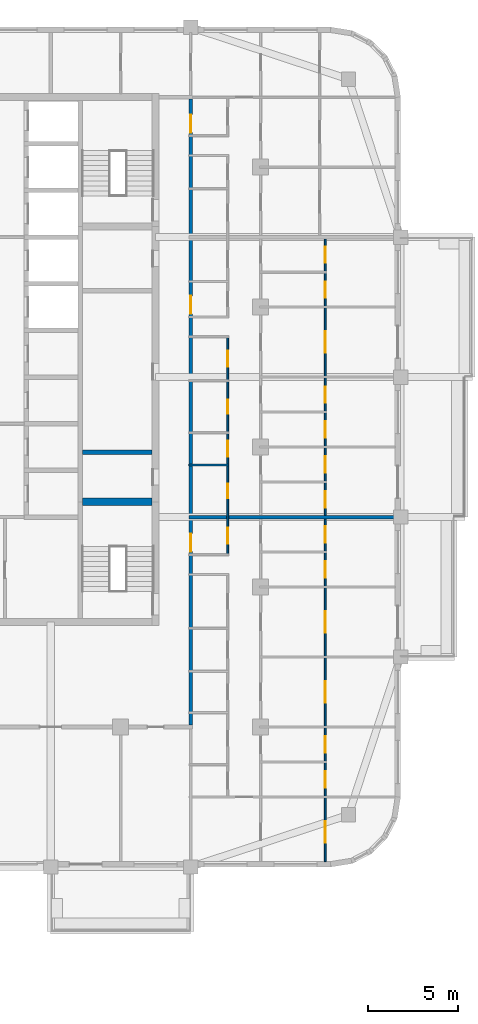
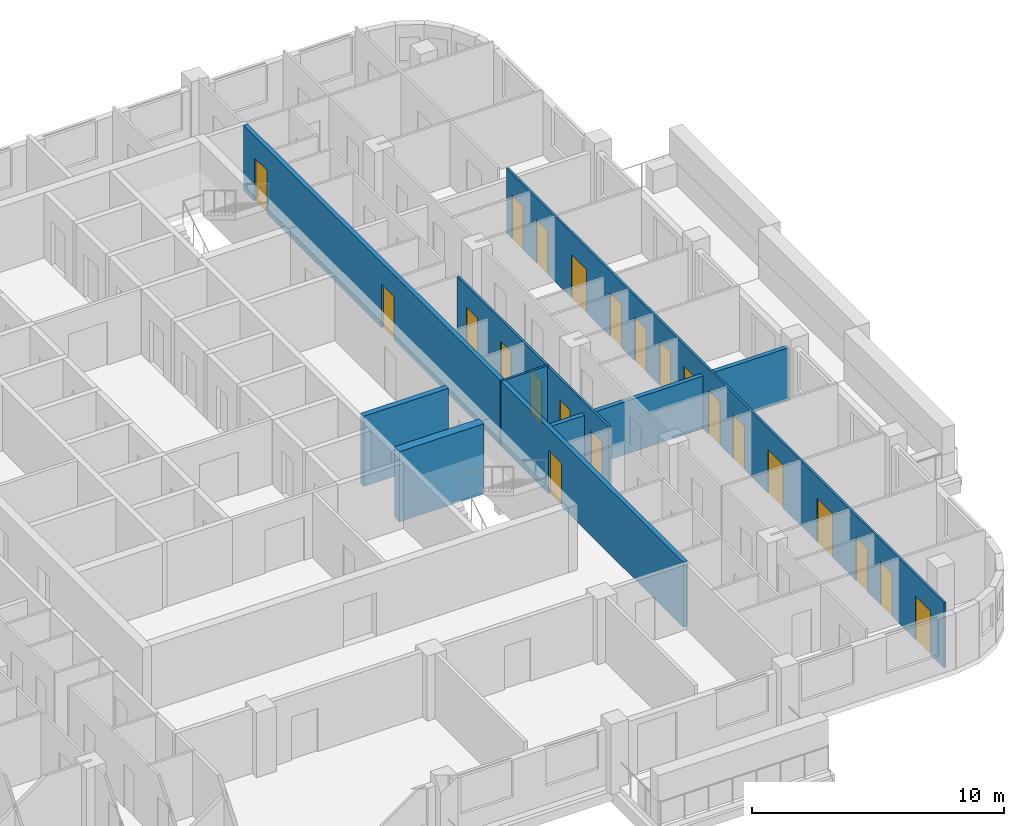
# One storey, part 7 of 17: 22 doors, 7 walls, 22 openings.
"""IFC4 building model written with IfcOpenShell, lengths in metres."""

from ifc_helpers import new_model, si_unit, direction, frame, frame_2d, origin, place, context, subcontext, project, spatial, rectangle, extrude, material, layer, layer_set, type_object, element, fill, save


model = new_model("IFC4")

# Units and contexts
model_context = context("Model", 3, precision=1e-05, world=origin(), true_north=direction((0.0, 1.0)))
body_context = subcontext(model_context, "Body", "Model", "MODEL_VIEW")
ifc_project = project(units=[si_unit("LENGTHUNIT", "METRE"), si_unit("AREAUNIT", "SQUARE_METRE"), si_unit("VOLUMEUNIT", "CUBIC_METRE"), si_unit("PLANEANGLEUNIT", "RADIAN"), si_unit("MASSUNIT", "GRAM", prefix="KILO")], contexts=[model_context])

# Site, building, storey
site_placement = place(None, origin())
site = spatial("IfcSite", under=ifc_project, at=site_placement, CompositionType="ELEMENT")
building_placement = place(site_placement, origin())
building = spatial("IfcBuilding", under=site, at=building_placement, Name="Ludao Terraces", CompositionType="ELEMENT")
storey_placement = place(building_placement, frame((0.0, 0.0, 231.300048828125)))
storey = spatial("IfcBuildingStorey", under=building, at=storey_placement, Name="L63", CompositionType="ELEMENT", Elevation=231.300048828125)

# Wall, openings, doors
ifc_material_1 = material(Name="Autoclaved aerated concrete block B06 A3.5", Category="concrete")
ifc_layer_1 = layer(ifc_material_1, 0.199951171875)
ifc_layer_set_1 = layer_set([ifc_layer_1], Name="INT Entrance wall 200")
wall_type_1 = type_object("IfcWallType", Name="INT Entrance wall 200", PredefinedType="PARTITIONING", material=ifc_layer_set_1)
wall_1_placement = place(storey_placement, frame((96.699951171875, 49.5, 0.0), z_axis=(0.0, 0.0, 1.0), x_axis=(0.0, 1.0, 0.0)))
wall_1 = element("IfcWall", 1, at=wall_1_placement, inside=storey, type_object=wall_type_1, Name="PW-L63-PW089", PredefinedType="PARTITIONING", context=body_context, shape_type="SweptSolid", body=[
    extrude(rectangle(XDim=34.900146484375, YDim=0.199951171875, at=frame_2d((17.4501953125, 0.0))), origin(), (0.0, 0.0, 1.0), 3.14990234375),
])
opening_1_placement = place(wall_1_placement, frame((9.675048828125, 0.0, 0.0)))
opening_1 = element("IfcOpeningElement", 2, at=opening_1_placement, cuts=wall_1, Name="Opening R22-040", PredefinedType="OPENING", context=body_context, shape_type="SweptSolid", body=[
    extrude(rectangle(XDim=1.0, YDim=2.10009765625, at=frame_2d((0.5, 1.050048828125))), frame((0.0, 0.10986328125, 0.0), z_axis=(0.0, -1.0, 0.0), x_axis=(1.0, 0.0, 0.0)), (0.0, 0.0, 1.0), 0.219970703125),
])
opening_2_placement = place(wall_1_placement, frame((22.925048828125, 0.0, 0.0)))
opening_2 = element("IfcOpeningElement", 3, at=opening_2_placement, cuts=wall_1, Name="Opening R22-089", PredefinedType="OPENING", context=body_context, shape_type="SweptSolid", body=[
    extrude(rectangle(XDim=1.0, YDim=2.10009765625, at=frame_2d((0.5, 1.050048828125))), frame((0.0, 0.10986328125, 0.0), z_axis=(0.0, -1.0, 0.0), x_axis=(1.0, 0.0, 0.0)), (0.0, 0.0, 1.0), 0.219970703125),
])
opening_3_placement = place(wall_1_placement, frame((33.025146484375, 0.0, 0.0)))
opening_3 = element("IfcOpeningElement", 4, at=opening_3_placement, cuts=wall_1, Name="Opening R22-122", PredefinedType="OPENING", context=body_context, shape_type="SweptSolid", body=[
    extrude(rectangle(XDim=1.0, YDim=2.10009765625, at=frame_2d((0.5, 1.050048828125))), frame((0.0, 0.10986328125, 0.0), z_axis=(0.0, -1.0, 0.0), x_axis=(1.0, 0.0, 0.0)), (0.0, 0.0, 1.0), 0.219970703125),
])
ifc_material_2 = material(Name="Steel Q235", Category="steel")
door_type_1 = type_object("IfcDoorType", Name="INT Flat entrance door 1000", OperationType="SINGLE_SWING_LEFT", PredefinedType="DOOR", material=ifc_material_2)
door_1_placement = place(opening_1_placement, origin())
door_1 = element("IfcDoor", 5, at=door_1_placement, inside=storey, type_object=door_type_1, Name="DOOR 040", OperationType="SINGLE_SWING_LEFT", OverallHeight=2.10009765625, OverallWidth=1.0, PredefinedType="DOOR", context=body_context, shape_type="SweptSolid", body=[
    extrude(rectangle(XDim=1.0, YDim=2.10009765625, at=frame_2d((0.5, 1.050048828125))), frame((0.0, 0.02490234375, 0.0), z_axis=(0.0, -1.0, 0.0), x_axis=(1.0, 0.0, 0.0)), (0.0, 0.0, 1.0), 0.050048828125),
])
fill(opening_1, door_1)
door_2_placement = place(opening_2_placement, origin())
door_2 = element("IfcDoor", 6, at=door_2_placement, inside=storey, type_object=door_type_1, Name="DOOR 089", OperationType="SINGLE_SWING_LEFT", OverallHeight=2.10009765625, OverallWidth=1.0, PredefinedType="DOOR", context=body_context, shape_type="SweptSolid", body=[
    extrude(rectangle(XDim=1.0, YDim=2.10009765625, at=frame_2d((0.5, 1.050048828125))), frame((0.0, 0.02490234375, 0.0), z_axis=(0.0, -1.0, 0.0), x_axis=(1.0, 0.0, 0.0)), (0.0, 0.0, 1.0), 0.050048828125),
])
fill(opening_2, door_2)
door_3_placement = place(opening_3_placement, origin())
door_3 = element("IfcDoor", 7, at=door_3_placement, inside=storey, type_object=door_type_1, Name="DOOR 122", OperationType="SINGLE_SWING_LEFT", OverallHeight=2.10009765625, OverallWidth=1.0, PredefinedType="DOOR", context=body_context, shape_type="SweptSolid", body=[
    extrude(rectangle(XDim=1.0, YDim=2.10009765625, at=frame_2d((0.5, 1.050048828125))), frame((0.0, 0.02490234375, 0.0), z_axis=(0.0, -1.0, 0.0), x_axis=(1.0, 0.0, 0.0)), (0.0, 0.0, 1.0), 0.050048828125),
])
fill(opening_3, door_3)

# Wall
ifc_material_3 = material(Name="Gypsum plasterboard", Category="gypsum")
ifc_layer_2 = layer(ifc_material_3, 0.012451171875, Category="gypsum")
ifc_material_4 = material(Name="Mineral wool")
ifc_layer_3 = layer(ifc_material_4, 0.06005859375, Name="insulation")
ifc_layer_4 = layer(ifc_material_2, 0.014892578125, Name="stud")
ifc_layer_5 = layer(ifc_material_3, 0.012451171875, Category="gypsum")
ifc_layer_set_2 = layer_set([ifc_layer_2, ifc_layer_3, ifc_layer_4, ifc_layer_5], Name="INT Partition 100")
wall_type_2 = type_object("IfcWallType", Name="INT Partition 100", PredefinedType="PARTITIONING", material=ifc_layer_set_2)
wall_2_placement = place(storey_placement, frame((96.60009765625, 64.0, 0.0), z_axis=(0.0, 0.0, 1.0), x_axis=(1.0, 0.0, 0.0)))
element("IfcWall", 8, at=wall_2_placement, inside=storey, type_object=wall_type_2, Name="PW-L63-PW030", PredefinedType="PARTITIONING", context=body_context, shape_type="SweptSolid", body=[
    extrude(rectangle(XDim=2.219970703125, YDim=0.10009765625, at=frame_2d((1.10986328125, 0.0))), origin(), (0.0, 0.0, 1.0), 3.14990234375),
])

# Wall, openings, doors
wall_3_placement = place(storey_placement, frame((98.77001953125, 59.050048828125, 0.0), z_axis=(0.0, 0.0, 1.0), x_axis=(0.0, 1.0, 0.0)))
wall_3 = element("IfcWall", 9, at=wall_3_placement, inside=storey, type_object=wall_type_2, Name="PW-L63-PW092", PredefinedType="PARTITIONING", context=body_context, shape_type="SweptSolid", body=[
    extrude(rectangle(XDim=12.050048828125, YDim=0.10009765625, at=frame_2d((6.02490234375, 0.0))), origin(), (0.0, 0.0, 1.0), 3.14990234375),
])
opening_4_placement = place(wall_3_placement, frame((0.550048828125, 0.0, 0.0)))
opening_4 = element("IfcOpeningElement", 10, at=opening_4_placement, cuts=wall_3, Name="Opening R22-041", PredefinedType="OPENING", context=body_context, shape_type="SweptSolid", body=[
    extrude(rectangle(XDim=0.89990234375, YDim=2.10009765625, at=frame_2d((0.449951171875, 1.050048828125))), frame((0.0, 0.06005859375, 0.0), z_axis=(0.0, -1.0, 0.0), x_axis=(1.0, 0.0, 0.0)), (0.0, 0.0, 1.0), 0.1201171875),
])
opening_5_placement = place(wall_3_placement, frame((3.10009765625, 0.0, 0.0)))
opening_5 = element("IfcOpeningElement", 11, at=opening_5_placement, cuts=wall_3, Name="Opening R22-052", PredefinedType="OPENING", context=body_context, shape_type="SweptSolid", body=[
    extrude(rectangle(XDim=0.800048828125, YDim=2.10009765625, at=frame_2d((0.39990234375, 1.050048828125))), frame((0.0, 0.06005859375, 0.0), z_axis=(0.0, -1.0, 0.0), x_axis=(1.0, 0.0, 0.0)), (0.0, 0.0, 1.0), 0.1201171875),
])
opening_6_placement = place(wall_3_placement, frame((5.39990234375, 0.0, 0.0)))
opening_6 = element("IfcOpeningElement", 12, at=opening_6_placement, cuts=wall_3, Name="Opening R22-060", PredefinedType="OPENING", context=body_context, shape_type="SweptSolid", body=[
    extrude(rectangle(XDim=0.89990234375, YDim=2.10009765625, at=frame_2d((0.449951171875, 1.050048828125))), frame((0.0, 0.06005859375, 0.0), z_axis=(0.0, -1.0, 0.0), x_axis=(1.0, 0.0, 0.0)), (0.0, 0.0, 1.0), 0.1201171875),
])
opening_7_placement = place(wall_3_placement, frame((7.800048828125, 0.0, 0.0)))
opening_7 = element("IfcOpeningElement", 13, at=opening_7_placement, cuts=wall_3, Name="Opening R22-069", PredefinedType="OPENING", context=body_context, shape_type="SweptSolid", body=[
    extrude(rectangle(XDim=0.800048828125, YDim=2.10009765625, at=frame_2d((0.39990234375, 1.050048828125))), frame((0.0, 0.06005859375, 0.0), z_axis=(0.0, -1.0, 0.0), x_axis=(1.0, 0.0, 0.0)), (0.0, 0.0, 1.0), 0.1201171875),
])
opening_8_placement = place(wall_3_placement, frame((10.425048828125, 0.0, 0.0)))
opening_8 = element("IfcOpeningElement", 14, at=opening_8_placement, cuts=wall_3, Name="Opening R22-078", PredefinedType="OPENING", context=body_context, shape_type="SweptSolid", body=[
    extrude(rectangle(XDim=0.89990234375, YDim=2.10009765625, at=frame_2d((0.449951171875, 1.050048828125))), frame((0.0, 0.06005859375, 0.0), z_axis=(0.0, -1.0, 0.0), x_axis=(1.0, 0.0, 0.0)), (0.0, 0.0, 1.0), 0.1201171875),
])
ifc_material_5 = material(Name="Timber door leaf", Category="wood")
door_type_2 = type_object("IfcDoorType", Name="INT Bathroom door 900", OperationType="SINGLE_SWING_LEFT", PredefinedType="DOOR", material=ifc_material_5)
door_4_placement = place(opening_6_placement, origin())
door_4 = element("IfcDoor", 15, at=door_4_placement, inside=storey, type_object=door_type_2, Name="DOOR 060", OperationType="SINGLE_SWING_RIGHT", OverallHeight=2.10009765625, OverallWidth=0.89990234375, PredefinedType="DOOR", context=body_context, shape_type="SweptSolid", body=[
    extrude(rectangle(XDim=0.89990234375, YDim=2.10009765625, at=frame_2d((0.449951171875, 1.050048828125))), frame((0.0, 0.02490234375, 0.0), z_axis=(0.0, -1.0, 0.0), x_axis=(1.0, 0.0, 0.0)), (0.0, 0.0, 1.0), 0.050048828125),
])
fill(opening_6, door_4)
door_5_placement = place(opening_8_placement, origin())
door_5 = element("IfcDoor", 16, at=door_5_placement, inside=storey, type_object=door_type_2, Name="DOOR 078", OperationType="SINGLE_SWING_RIGHT", OverallHeight=2.10009765625, OverallWidth=0.89990234375, PredefinedType="DOOR", context=body_context, shape_type="SweptSolid", body=[
    extrude(rectangle(XDim=0.89990234375, YDim=2.10009765625, at=frame_2d((0.449951171875, 1.050048828125))), frame((0.0, 0.02490234375, 0.0), z_axis=(0.0, -1.0, 0.0), x_axis=(1.0, 0.0, 0.0)), (0.0, 0.0, 1.0), 0.050048828125),
])
fill(opening_8, door_5)
door_type_3 = type_object("IfcDoorType", Name="INT Room door 900", OperationType="SINGLE_SWING_LEFT", PredefinedType="DOOR", material=ifc_material_5)
door_6_placement = place(opening_4_placement, origin())
door_6 = element("IfcDoor", 17, at=door_6_placement, inside=storey, type_object=door_type_3, Name="DOOR 041", OperationType="SINGLE_SWING_RIGHT", OverallHeight=2.10009765625, OverallWidth=0.89990234375, PredefinedType="DOOR", context=body_context, shape_type="SweptSolid", body=[
    extrude(rectangle(XDim=0.89990234375, YDim=2.10009765625, at=frame_2d((0.449951171875, 1.050048828125))), frame((0.0, 0.02490234375, 0.0), z_axis=(0.0, -1.0, 0.0), x_axis=(1.0, 0.0, 0.0)), (0.0, 0.0, 1.0), 0.050048828125),
])
fill(opening_4, door_6)
door_type_4 = type_object("IfcDoorType", Name="INT Store door 800", OperationType="SINGLE_SWING_LEFT", PredefinedType="DOOR", material=ifc_material_5)
door_7_placement = place(opening_5_placement, origin())
door_7 = element("IfcDoor", 18, at=door_7_placement, inside=storey, type_object=door_type_4, Name="DOOR 052", OperationType="SINGLE_SWING_LEFT", OverallHeight=2.10009765625, OverallWidth=0.800048828125, PredefinedType="DOOR", context=body_context, shape_type="SweptSolid", body=[
    extrude(rectangle(XDim=0.800048828125, YDim=2.10009765625, at=frame_2d((0.39990234375, 1.050048828125))), frame((0.0, 0.02490234375, 0.0), z_axis=(0.0, -1.0, 0.0), x_axis=(1.0, 0.0, 0.0)), (0.0, 0.0, 1.0), 0.050048828125),
])
fill(opening_5, door_7)
door_8_placement = place(opening_7_placement, origin())
door_8 = element("IfcDoor", 19, at=door_8_placement, inside=storey, type_object=door_type_4, Name="DOOR 069", OperationType="SINGLE_SWING_LEFT", OverallHeight=2.10009765625, OverallWidth=0.800048828125, PredefinedType="DOOR", context=body_context, shape_type="SweptSolid", body=[
    extrude(rectangle(XDim=0.800048828125, YDim=2.10009765625, at=frame_2d((0.39990234375, 1.050048828125))), frame((0.0, 0.02490234375, 0.0), z_axis=(0.0, -1.0, 0.0), x_axis=(1.0, 0.0, 0.0)), (0.0, 0.0, 1.0), 0.050048828125),
])
fill(opening_7, door_8)

wall_4_placement = place(storey_placement, frame((104.199951171875, 41.900146484375, 0.0), z_axis=(0.0, 0.0, 1.0), x_axis=(0.0, 1.0, 0.0)))
wall_4 = element("IfcWall", 20, at=wall_4_placement, inside=storey, type_object=wall_type_2, Name="PW-L63-PW097", PredefinedType="PARTITIONING", context=body_context, shape_type="SweptSolid", body=[
    extrude(rectangle(XDim=34.699951171875, YDim=0.10009765625, at=frame_2d((17.35009765625, 0.0))), origin(), (0.0, 0.0, 1.0), 3.14990234375),
])
opening_9_placement = place(wall_4_placement, frame((1.050048828125, 0.0, 0.0)))
opening_9 = element("IfcOpeningElement", 21, at=opening_9_placement, cuts=wall_4, Name="Opening R22-004", PredefinedType="OPENING", context=body_context, shape_type="SweptSolid", body=[
    extrude(rectangle(XDim=1.199951171875, YDim=2.10009765625, at=frame_2d((0.60009765625, 1.050048828125))), frame((0.0, 0.06005859375, 0.0), z_axis=(0.0, -1.0, 0.0), x_axis=(1.0, 0.0, 0.0)), (0.0, 0.0, 1.0), 0.1201171875),
])
opening_10_placement = place(wall_4_placement, frame((4.125, 0.0, 0.0)))
opening_10 = element("IfcOpeningElement", 22, at=opening_10_placement, cuts=wall_4, Name="Opening R22-008", PredefinedType="OPENING", context=body_context, shape_type="SweptSolid", body=[
    extrude(rectangle(XDim=0.89990234375, YDim=2.10009765625, at=frame_2d((0.449951171875, 1.050048828125))), frame((0.0, 0.06005859375, 0.0), z_axis=(0.0, -1.0, 0.0), x_axis=(1.0, 0.0, 0.0)), (0.0, 0.0, 1.0), 0.1201171875),
])
opening_11_placement = place(wall_4_placement, frame((6.074951171875, 0.0, 0.0)))
opening_11 = element("IfcOpeningElement", 23, at=opening_11_placement, cuts=wall_4, Name="Opening R22-013", PredefinedType="OPENING", context=body_context, shape_type="SweptSolid", body=[
    extrude(rectangle(XDim=0.89990234375, YDim=2.10009765625, at=frame_2d((0.449951171875, 1.050048828125))), frame((0.0, 0.06005859375, 0.0), z_axis=(0.0, -1.0, 0.0), x_axis=(1.0, 0.0, 0.0)), (0.0, 0.0, 1.0), 0.1201171875),
])
opening_12_placement = place(wall_4_placement, frame((8.85009765625, 0.0, 0.0)))
opening_12 = element("IfcOpeningElement", 24, at=opening_12_placement, cuts=wall_4, Name="Opening R22-023", PredefinedType="OPENING", context=body_context, shape_type="SweptSolid", body=[
    extrude(rectangle(XDim=1.199951171875, YDim=2.10009765625, at=frame_2d((0.60009765625, 1.050048828125))), frame((0.0, 0.06005859375, 0.0), z_axis=(0.0, -1.0, 0.0), x_axis=(1.0, 0.0, 0.0)), (0.0, 0.0, 1.0), 0.1201171875),
])
opening_13_placement = place(wall_4_placement, frame((12.75, 0.0, 0.0)))
opening_13 = element("IfcOpeningElement", 25, at=opening_13_placement, cuts=wall_4, Name="Opening R22-030", PredefinedType="OPENING", context=body_context, shape_type="SweptSolid", body=[
    extrude(rectangle(XDim=1.199951171875, YDim=2.10009765625, at=frame_2d((0.60009765625, 1.050048828125))), frame((0.0, 0.06005859375, 0.0), z_axis=(0.0, -1.0, 0.0), x_axis=(1.0, 0.0, 0.0)), (0.0, 0.0, 1.0), 0.1201171875),
])
opening_14_placement = place(wall_4_placement, frame((15.824951171875, 0.0, 0.0)))
opening_14 = element("IfcOpeningElement", 26, at=opening_14_placement, cuts=wall_4, Name="Opening R22-038", PredefinedType="OPENING", context=body_context, shape_type="SweptSolid", body=[
    extrude(rectangle(XDim=0.89990234375, YDim=2.10009765625, at=frame_2d((0.449951171875, 1.050048828125))), frame((0.0, 0.06005859375, 0.0), z_axis=(0.0, -1.0, 0.0), x_axis=(1.0, 0.0, 0.0)), (0.0, 0.0, 1.0), 0.1201171875),
])
opening_15_placement = place(wall_4_placement, frame((17.77490234375, 0.0, 0.0)))
opening_15 = element("IfcOpeningElement", 27, at=opening_15_placement, cuts=wall_4, Name="Opening R22-045", PredefinedType="OPENING", context=body_context, shape_type="SweptSolid", body=[
    extrude(rectangle(XDim=0.89990234375, YDim=2.10009765625, at=frame_2d((0.449951171875, 1.050048828125))), frame((0.0, 0.06005859375, 0.0), z_axis=(0.0, -1.0, 0.0), x_axis=(1.0, 0.0, 0.0)), (0.0, 0.0, 1.0), 0.1201171875),
])
opening_16_placement = place(wall_4_placement, frame((19.72509765625, 0.0, 0.0)))
opening_16 = element("IfcOpeningElement", 28, at=opening_16_placement, cuts=wall_4, Name="Opening R22-049", PredefinedType="OPENING", context=body_context, shape_type="SweptSolid", body=[
    extrude(rectangle(XDim=0.89990234375, YDim=2.10009765625, at=frame_2d((0.449951171875, 1.050048828125))), frame((0.0, 0.06005859375, 0.0), z_axis=(0.0, -1.0, 0.0), x_axis=(1.0, 0.0, 0.0)), (0.0, 0.0, 1.0), 0.1201171875),
])
opening_17_placement = place(wall_4_placement, frame((21.675048828125, 0.0, 0.0)))
opening_17 = element("IfcOpeningElement", 29, at=opening_17_placement, cuts=wall_4, Name="Opening R22-059", PredefinedType="OPENING", context=body_context, shape_type="SweptSolid", body=[
    extrude(rectangle(XDim=0.89990234375, YDim=2.10009765625, at=frame_2d((0.449951171875, 1.050048828125))), frame((0.0, 0.06005859375, 0.0), z_axis=(0.0, -1.0, 0.0), x_axis=(1.0, 0.0, 0.0)), (0.0, 0.0, 1.0), 0.1201171875),
])
opening_18_placement = place(wall_4_placement, frame((23.625, 0.0, 0.0)))
opening_18 = element("IfcOpeningElement", 30, at=opening_18_placement, cuts=wall_4, Name="Opening R22-064", PredefinedType="OPENING", context=body_context, shape_type="SweptSolid", body=[
    extrude(rectangle(XDim=0.89990234375, YDim=2.10009765625, at=frame_2d((0.449951171875, 1.050048828125))), frame((0.0, 0.06005859375, 0.0), z_axis=(0.0, -1.0, 0.0), x_axis=(1.0, 0.0, 0.0)), (0.0, 0.0, 1.0), 0.1201171875),
])
opening_19_placement = place(wall_4_placement, frame((25.574951171875, 0.0, 0.0)))
opening_19 = element("IfcOpeningElement", 31, at=opening_19_placement, cuts=wall_4, Name="Opening R22-073", PredefinedType="OPENING", context=body_context, shape_type="SweptSolid", body=[
    extrude(rectangle(XDim=0.89990234375, YDim=2.10009765625, at=frame_2d((0.449951171875, 1.050048828125))), frame((0.0, 0.06005859375, 0.0), z_axis=(0.0, -1.0, 0.0), x_axis=(1.0, 0.0, 0.0)), (0.0, 0.0, 1.0), 0.1201171875),
])
opening_20_placement = place(wall_4_placement, frame((28.35009765625, 0.0, 0.0)))
opening_20 = element("IfcOpeningElement", 32, at=opening_20_placement, cuts=wall_4, Name="Opening R22-083", PredefinedType="OPENING", context=body_context, shape_type="SweptSolid", body=[
    extrude(rectangle(XDim=1.199951171875, YDim=2.10009765625, at=frame_2d((0.60009765625, 1.050048828125))), frame((0.0, 0.06005859375, 0.0), z_axis=(0.0, -1.0, 0.0), x_axis=(1.0, 0.0, 0.0)), (0.0, 0.0, 1.0), 0.1201171875),
])
opening_21_placement = place(wall_4_placement, frame((31.425048828125, 0.0, 0.0)))
opening_21 = element("IfcOpeningElement", 33, at=opening_21_placement, cuts=wall_4, Name="Opening R22-093", PredefinedType="OPENING", context=body_context, shape_type="SweptSolid", body=[
    extrude(rectangle(XDim=0.89990234375, YDim=2.10009765625, at=frame_2d((0.449951171875, 1.050048828125))), frame((0.0, 0.06005859375, 0.0), z_axis=(0.0, -1.0, 0.0), x_axis=(1.0, 0.0, 0.0)), (0.0, 0.0, 1.0), 0.1201171875),
])
opening_22_placement = place(wall_4_placement, frame((33.375, 0.0, 0.0)))
opening_22 = element("IfcOpeningElement", 34, at=opening_22_placement, cuts=wall_4, Name="Opening R22-102", PredefinedType="OPENING", context=body_context, shape_type="SweptSolid", body=[
    extrude(rectangle(XDim=0.89990234375, YDim=2.10009765625, at=frame_2d((0.449951171875, 1.050048828125))), frame((0.0, 0.06005859375, 0.0), z_axis=(0.0, -1.0, 0.0), x_axis=(1.0, 0.0, 0.0)), (0.0, 0.0, 1.0), 0.1201171875),
])
door_9_placement = place(opening_10_placement, origin())
door_9 = element("IfcDoor", 35, at=door_9_placement, inside=storey, type_object=door_type_2, Name="DOOR 008", OperationType="SINGLE_SWING_RIGHT", OverallHeight=2.10009765625, OverallWidth=0.89990234375, PredefinedType="DOOR", context=body_context, shape_type="SweptSolid", body=[
    extrude(rectangle(XDim=0.89990234375, YDim=2.10009765625, at=frame_2d((0.449951171875, 1.050048828125))), frame((0.0, 0.02490234375, 0.0), z_axis=(0.0, -1.0, 0.0), x_axis=(1.0, 0.0, 0.0)), (0.0, 0.0, 1.0), 0.050048828125),
])
fill(opening_10, door_9)
door_10_placement = place(opening_14_placement, origin())
door_10 = element("IfcDoor", 36, at=door_10_placement, inside=storey, type_object=door_type_2, Name="DOOR 038", OperationType="SINGLE_SWING_LEFT", OverallHeight=2.10009765625, OverallWidth=0.89990234375, PredefinedType="DOOR", context=body_context, shape_type="SweptSolid", body=[
    extrude(rectangle(XDim=0.89990234375, YDim=2.10009765625, at=frame_2d((0.449951171875, 1.050048828125))), frame((0.0, 0.02490234375, 0.0), z_axis=(0.0, -1.0, 0.0), x_axis=(1.0, 0.0, 0.0)), (0.0, 0.0, 1.0), 0.050048828125),
])
fill(opening_14, door_10)
door_11_placement = place(opening_16_placement, origin())
door_11 = element("IfcDoor", 37, at=door_11_placement, inside=storey, type_object=door_type_2, Name="DOOR 049", OperationType="SINGLE_SWING_LEFT", OverallHeight=2.10009765625, OverallWidth=0.89990234375, PredefinedType="DOOR", context=body_context, shape_type="SweptSolid", body=[
    extrude(rectangle(XDim=0.89990234375, YDim=2.10009765625, at=frame_2d((0.449951171875, 1.050048828125))), frame((0.0, 0.02490234375, 0.0), z_axis=(0.0, -1.0, 0.0), x_axis=(1.0, 0.0, 0.0)), (0.0, 0.0, 1.0), 0.050048828125),
])
fill(opening_16, door_11)
door_12_placement = place(opening_18_placement, origin())
door_12 = element("IfcDoor", 38, at=door_12_placement, inside=storey, type_object=door_type_2, Name="DOOR 064", OperationType="SINGLE_SWING_LEFT", OverallHeight=2.10009765625, OverallWidth=0.89990234375, PredefinedType="DOOR", context=body_context, shape_type="SweptSolid", body=[
    extrude(rectangle(XDim=0.89990234375, YDim=2.10009765625, at=frame_2d((0.449951171875, 1.050048828125))), frame((0.0, 0.02490234375, 0.0), z_axis=(0.0, -1.0, 0.0), x_axis=(1.0, 0.0, 0.0)), (0.0, 0.0, 1.0), 0.050048828125),
])
fill(opening_18, door_12)
door_13_placement = place(opening_21_placement, origin())
door_13 = element("IfcDoor", 39, at=door_13_placement, inside=storey, type_object=door_type_2, Name="DOOR 093", OperationType="SINGLE_SWING_LEFT", OverallHeight=2.10009765625, OverallWidth=0.89990234375, PredefinedType="DOOR", context=body_context, shape_type="SweptSolid", body=[
    extrude(rectangle(XDim=0.89990234375, YDim=2.10009765625, at=frame_2d((0.449951171875, 1.050048828125))), frame((0.0, 0.02490234375, 0.0), z_axis=(0.0, -1.0, 0.0), x_axis=(1.0, 0.0, 0.0)), (0.0, 0.0, 1.0), 0.050048828125),
])
fill(opening_21, door_13)
door_type_5 = type_object("IfcDoorType", Name="INT Double door 1200", OperationType="DOUBLE_DOOR_SINGLE_SWING", PredefinedType="DOOR", material=ifc_material_5)
door_14_placement = place(opening_9_placement, origin())
door_14 = element("IfcDoor", 40, at=door_14_placement, inside=storey, type_object=door_type_5, Name="DOOR 004", OperationType="DOUBLE_DOOR_SINGLE_SWING", OverallHeight=2.10009765625, OverallWidth=1.199951171875, PredefinedType="DOOR", context=body_context, shape_type="SweptSolid", body=[
    extrude(rectangle(XDim=1.199951171875, YDim=2.10009765625, at=frame_2d((0.60009765625, 1.050048828125))), frame((0.0, 0.02490234375, 0.0), z_axis=(0.0, -1.0, 0.0), x_axis=(1.0, 0.0, 0.0)), (0.0, 0.0, 1.0), 0.050048828125),
])
fill(opening_9, door_14)
door_15_placement = place(opening_12_placement, origin())
door_15 = element("IfcDoor", 41, at=door_15_placement, inside=storey, type_object=door_type_5, Name="DOOR 023", OperationType="DOUBLE_DOOR_SINGLE_SWING", OverallHeight=2.10009765625, OverallWidth=1.199951171875, PredefinedType="DOOR", context=body_context, shape_type="SweptSolid", body=[
    extrude(rectangle(XDim=1.199951171875, YDim=2.10009765625, at=frame_2d((0.60009765625, 1.050048828125))), frame((0.0, 0.02490234375, 0.0), z_axis=(0.0, -1.0, 0.0), x_axis=(1.0, 0.0, 0.0)), (0.0, 0.0, 1.0), 0.050048828125),
])
fill(opening_12, door_15)
door_16_placement = place(opening_13_placement, origin())
door_16 = element("IfcDoor", 42, at=door_16_placement, inside=storey, type_object=door_type_5, Name="DOOR 030", OperationType="DOUBLE_DOOR_SINGLE_SWING", OverallHeight=2.10009765625, OverallWidth=1.199951171875, PredefinedType="DOOR", context=body_context, shape_type="SweptSolid", body=[
    extrude(rectangle(XDim=1.199951171875, YDim=2.10009765625, at=frame_2d((0.60009765625, 1.050048828125))), frame((0.0, 0.02490234375, 0.0), z_axis=(0.0, -1.0, 0.0), x_axis=(1.0, 0.0, 0.0)), (0.0, 0.0, 1.0), 0.050048828125),
])
fill(opening_13, door_16)
door_17_placement = place(opening_20_placement, origin())
door_17 = element("IfcDoor", 43, at=door_17_placement, inside=storey, type_object=door_type_5, Name="DOOR 083", OperationType="DOUBLE_DOOR_SINGLE_SWING", OverallHeight=2.10009765625, OverallWidth=1.199951171875, PredefinedType="DOOR", context=body_context, shape_type="SweptSolid", body=[
    extrude(rectangle(XDim=1.199951171875, YDim=2.10009765625, at=frame_2d((0.60009765625, 1.050048828125))), frame((0.0, 0.02490234375, 0.0), z_axis=(0.0, -1.0, 0.0), x_axis=(1.0, 0.0, 0.0)), (0.0, 0.0, 1.0), 0.050048828125),
])
fill(opening_20, door_17)
door_18_placement = place(opening_11_placement, origin())
door_18 = element("IfcDoor", 44, at=door_18_placement, inside=storey, type_object=door_type_3, Name="DOOR 013", OperationType="SINGLE_SWING_LEFT", OverallHeight=2.10009765625, OverallWidth=0.89990234375, PredefinedType="DOOR", context=body_context, shape_type="SweptSolid", body=[
    extrude(rectangle(XDim=0.89990234375, YDim=2.10009765625, at=frame_2d((0.449951171875, 1.050048828125))), frame((0.0, 0.02490234375, 0.0), z_axis=(0.0, -1.0, 0.0), x_axis=(1.0, 0.0, 0.0)), (0.0, 0.0, 1.0), 0.050048828125),
])
fill(opening_11, door_18)
door_19_placement = place(opening_15_placement, origin())
door_19 = element("IfcDoor", 45, at=door_19_placement, inside=storey, type_object=door_type_3, Name="DOOR 045", OperationType="SINGLE_SWING_LEFT", OverallHeight=2.10009765625, OverallWidth=0.89990234375, PredefinedType="DOOR", context=body_context, shape_type="SweptSolid", body=[
    extrude(rectangle(XDim=0.89990234375, YDim=2.10009765625, at=frame_2d((0.449951171875, 1.050048828125))), frame((0.0, 0.02490234375, 0.0), z_axis=(0.0, -1.0, 0.0), x_axis=(1.0, 0.0, 0.0)), (0.0, 0.0, 1.0), 0.050048828125),
])
fill(opening_15, door_19)
door_20_placement = place(opening_17_placement, origin())
door_20 = element("IfcDoor", 46, at=door_20_placement, inside=storey, type_object=door_type_3, Name="DOOR 059", OperationType="SINGLE_SWING_LEFT", OverallHeight=2.10009765625, OverallWidth=0.89990234375, PredefinedType="DOOR", context=body_context, shape_type="SweptSolid", body=[
    extrude(rectangle(XDim=0.89990234375, YDim=2.10009765625, at=frame_2d((0.449951171875, 1.050048828125))), frame((0.0, 0.02490234375, 0.0), z_axis=(0.0, -1.0, 0.0), x_axis=(1.0, 0.0, 0.0)), (0.0, 0.0, 1.0), 0.050048828125),
])
fill(opening_17, door_20)
door_21_placement = place(opening_19_placement, origin())
door_21 = element("IfcDoor", 47, at=door_21_placement, inside=storey, type_object=door_type_3, Name="DOOR 073", OperationType="SINGLE_SWING_RIGHT", OverallHeight=2.10009765625, OverallWidth=0.89990234375, PredefinedType="DOOR", context=body_context, shape_type="SweptSolid", body=[
    extrude(rectangle(XDim=0.89990234375, YDim=2.10009765625, at=frame_2d((0.449951171875, 1.050048828125))), frame((0.0, 0.02490234375, 0.0), z_axis=(0.0, -1.0, 0.0), x_axis=(1.0, 0.0, 0.0)), (0.0, 0.0, 1.0), 0.050048828125),
])
fill(opening_19, door_21)
door_22_placement = place(opening_22_placement, origin())
door_22 = element("IfcDoor", 48, at=door_22_placement, inside=storey, type_object=door_type_3, Name="DOOR 102", OperationType="SINGLE_SWING_RIGHT", OverallHeight=2.10009765625, OverallWidth=0.89990234375, PredefinedType="DOOR", context=body_context, shape_type="SweptSolid", body=[
    extrude(rectangle(XDim=0.89990234375, YDim=2.10009765625, at=frame_2d((0.449951171875, 1.050048828125))), frame((0.0, 0.02490234375, 0.0), z_axis=(0.0, -1.0, 0.0), x_axis=(1.0, 0.0, 0.0)), (0.0, 0.0, 1.0), 0.050048828125),
])
fill(opening_22, door_22)

# Walls
ifc_layer_6 = layer(ifc_material_1, 0.199951171875)
ifc_layer_set_3 = layer_set([ifc_layer_6], Name="INT Party wall 200")
wall_type_3 = type_object("IfcWallType", Name="INT Party wall 200", PredefinedType="PARTITIONING", material=ifc_layer_set_3)
wall_5_placement = place(storey_placement, frame((96.60009765625, 61.10009765625, 0.0), z_axis=(0.0, 0.0, 1.0), x_axis=(1.0, 0.0, 0.0)))
element("IfcWall", 49, at=wall_5_placement, inside=storey, type_object=wall_type_3, Name="PW-L63-PW027", PredefinedType="PARTITIONING", context=body_context, shape_type="SweptSolid", body=[
    extrude(rectangle(XDim=11.5, YDim=0.199951171875, at=frame_2d((5.75, 0.0))), origin(), (0.0, 0.0, 1.0), 2.5498046875),
])
ifc_material_6 = material(Name="Concrete C50", Category="concrete")
ifc_layer_7 = layer(ifc_material_6, 0.25)
ifc_layer_set_4 = layer_set([ifc_layer_7], Name="Shaft wall 250 C50")
wall_type_4 = type_object("IfcWallType", Name="Shaft wall 250 C50", PredefinedType="SOLIDWALL", material=ifc_layer_set_4)
wall_6_placement = place(storey_placement, frame((90.675048828125, 64.699951171875, -0.25), z_axis=(0.0, 0.0, 1.0), x_axis=(1.0, 0.0, 0.0)))
element("IfcWall", 50, at=wall_6_placement, inside=storey, type_object=wall_type_4, Name="Core wall L63 riser-a-E", PredefinedType="SOLIDWALL", context=body_context, shape_type="SweptSolid", body=[
    extrude(rectangle(XDim=3.875, YDim=0.25, at=frame_2d((1.9375, 0.0))), origin(), (0.0, 0.0, 1.0), 3.39990234375),
])
ifc_layer_8 = layer(ifc_material_6, 0.39990234375)
ifc_layer_set_5 = layer_set([ifc_layer_8], Name="Shaft wall 400 C50")
wall_type_5 = type_object("IfcWallType", Name="Shaft wall 400 C50", PredefinedType="SOLIDWALL", material=ifc_layer_set_5)
wall_7_placement = place(storey_placement, frame((90.675048828125, 61.949951171875, -0.25), z_axis=(0.0, 0.0, 1.0), x_axis=(1.0, 0.0, 0.0)))
element("IfcWall", 51, at=wall_7_placement, inside=storey, type_object=wall_type_5, Name="Core wall L63 hall-E", PredefinedType="SOLIDWALL", context=body_context, shape_type="SweptSolid", body=[
    extrude(rectangle(XDim=3.875, YDim=0.39990234375, at=frame_2d((1.9375, 0.0))), origin(), (0.0, 0.0, 1.0), 3.39990234375),
])

save(model, "model.ifc")
